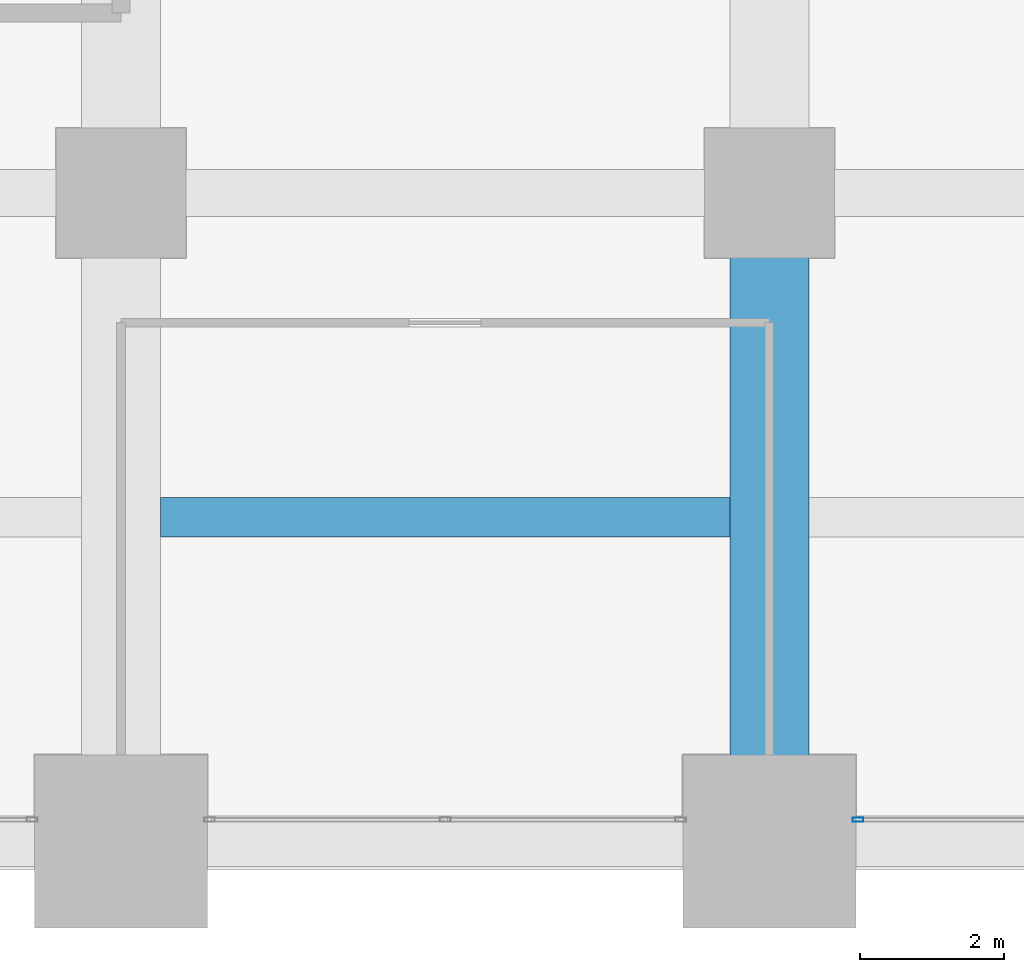
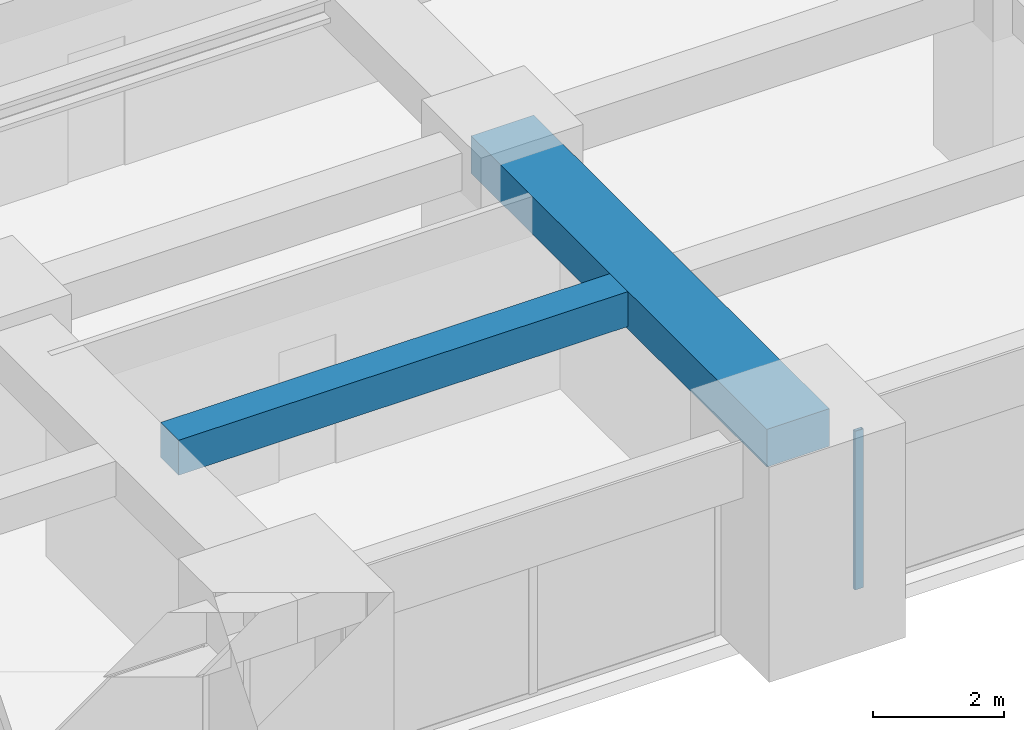
# One storey, part 14 of 39: 2 beams, 1 member, 1 element without a shape of its own.
"""IFC4 building model written with IfcOpenShell, lengths in metres."""

import ifcopenshell
import ifcopenshell.guid

model = None  # the IFC model being written
_history = None  # IfcOwnerHistory: only IFC2X3 demands one
_inside = {}  # id of a spatial element -> (the spatial element, [elements in it])
_under = {}  # id of a project, library or spatial element -> (it, [spatial elements below it])
_declared = {}  # id of a project -> (the project, [libraries it declares])
_typed = {}  # id of a type object -> (the type object, [elements of that type])
_made_of = {}  # id of a material, layer set ... -> (it, [elements and type objects made of it])


def new_model(schema):
    """Start an empty IFC model of exactly this schema.

    Asked for "IFC4X3", IfcOpenShell would pick the latest addendum, in which some entities
    have other attributes; the version numbers below select the first issue.
    IFC2X3 requires an IfcOwnerHistory on every rooted entity: one is made here for all.
    """
    global model, _history
    if schema == "IFC4X3":
        model = ifcopenshell.file(schema_version=(4, 3, 0, 0))
    else:
        model = ifcopenshell.file(schema=schema)
    _inside.clear()
    _under.clear()
    _declared.clear()
    _typed.clear()
    _made_of.clear()
    _history = None
    if model.schema == "IFC2X3":
        org = make("IfcOrganization", Name="unknown")
        user = make(
            "IfcPersonAndOrganization",
            ThePerson=make("IfcPerson", FamilyName="unknown"),
            TheOrganization=org,
        )
        app = make(
            "IfcApplication",
            ApplicationDeveloper=org,
            Version="unknown",
            ApplicationFullName="unknown",
            ApplicationIdentifier="unknown",
        )
        _history = make(
            "IfcOwnerHistory",
            OwningUser=user,
            OwningApplication=app,
            ChangeAction="ADDED",
            CreationDate=0,
        )
    return model


def make(cls, **values):
    """One entity of the class cls with the attributes given. An attribute that is None is left unset."""
    return model.create_entity(
        cls, **{name: value for name, value in values.items() if value is not None}
    )


def rooted(cls, **values):
    """An entity with a GlobalId (a new one), such as an element, a storey or a relation."""
    return make(cls, GlobalId=ifcopenshell.guid.new(), OwnerHistory=_history, **values)


def si_unit(unit_type, name, prefix=None):
    """IfcSIUnit, for example si_unit("LENGTHUNIT", "METRE", prefix="MILLI")."""
    return make("IfcSIUnit", UnitType=unit_type, Prefix=prefix, Name=name)


def assignment(units):
    """IfcUnitAssignment: the units of a project."""
    return None if units is None else make("IfcUnitAssignment", Units=units)


def point(xyz):
    """IfcCartesianPoint."""
    return None if xyz is None else make("IfcCartesianPoint", Coordinates=xyz)


def direction(xyz):
    """IfcDirection."""
    return None if xyz is None else make("IfcDirection", DirectionRatios=xyz)


def frame(location, z_axis=None, x_axis=None):
    """IfcAxis2Placement3D, a coordinate frame: its origin and axes. An axis left out is left unset."""
    return make(
        "IfcAxis2Placement3D",
        Location=point(location),
        Axis=direction(z_axis),
        RefDirection=direction(x_axis),
    )


def frame_2d(location, x_axis=None):
    """IfcAxis2Placement2D, a coordinate frame in the plane: its origin and x axis."""
    return make(
        "IfcAxis2Placement2D", Location=point(location), RefDirection=direction(x_axis)
    )


def origin():
    """The frame at (0, 0, 0) with its axes left unset."""
    return frame((0.0, 0.0, 0.0))


def origin_2d():
    """The frame at (0, 0) in the plane with its x axis left unset."""
    return frame_2d((0.0, 0.0))


def place(relative_to, where):
    """IfcLocalPlacement: puts the frame where relative to a parent placement (None: the world)."""
    return make(
        "IfcLocalPlacement", PlacementRelTo=relative_to, RelativePlacement=where
    )


def context(
    kind, dimensions, precision=None, world=None, true_north=None, identifier=None
):
    """IfcGeometricRepresentationContext, for example the 3D "Model" context."""
    return make(
        "IfcGeometricRepresentationContext",
        ContextIdentifier=identifier,
        ContextType=kind,
        CoordinateSpaceDimension=dimensions,
        Precision=precision,
        WorldCoordinateSystem=world,
        TrueNorth=true_north,
    )


def subcontext(parent, identifier, kind, view, scale=None):
    """IfcGeometricRepresentationSubContext, for example "Body" below "Model"."""
    return make(
        "IfcGeometricRepresentationSubContext",
        ContextIdentifier=identifier,
        ContextType=kind,
        ParentContext=parent,
        TargetScale=scale,
        TargetView=view,
    )


def project(units=None, contexts=None):
    """IfcProject with its units and contexts."""
    return rooted(
        "IfcProject",
        Name="project",
        RepresentationContexts=contexts,
        UnitsInContext=assignment(units),
    )


def spatial(cls, under=None, at=None, **own):
    """A site, building, storey or space (cls), placed at a placement, below another one or the project."""
    s = rooted(cls, ObjectPlacement=at, **own)
    if under is not None:
        _under.setdefault(under.id(), (under, []))[1].append(s)
    return s


def profile(cls, at=None, kind="AREA", **sizes):
    """A parametric profile (cls). Its sizes go by their IFC names, for example OverallWidth=200.0."""
    return make(cls, ProfileType=kind, Position=at, **sizes)


def rectangle(**sizes):
    """IfcRectangleProfileDef."""
    return profile("IfcRectangleProfileDef", **sizes)


def hollow_rectangle(**sizes):
    """IfcRectangleHollowProfileDef."""
    return profile("IfcRectangleHollowProfileDef", **sizes)


def extrude(swept, where, along, depth):
    """IfcExtrudedAreaSolid: the profile swept, set in the frame where, extruded along a direction by depth."""
    return make(
        "IfcExtrudedAreaSolid",
        SweptArea=swept,
        Position=where,
        ExtrudedDirection=direction(along),
        Depth=depth,
    )


def shape(context_of_items, identifier, shape_type, items):
    """IfcShapeRepresentation: the items that make up one representation, for example the "Body"."""
    return make(
        "IfcShapeRepresentation",
        ContextOfItems=context_of_items,
        RepresentationIdentifier=identifier,
        RepresentationType=shape_type,
        Items=items,
    )


def material(Name=None, Category=None):
    """IfcMaterial."""
    return make("IfcMaterial", Name=Name, Category=Category)


def material_profile(
    of_material, cross_section, Name=None, Category=None, Priority=None
):
    """IfcMaterialProfile: a cross section and its material."""
    return make(
        "IfcMaterialProfile",
        Name=Name,
        Material=of_material,
        Profile=cross_section,
        Priority=Priority,
        Category=Category,
    )


def profile_set(profiles, Name=None, composite=None):
    """IfcMaterialProfileSet."""
    return make(
        "IfcMaterialProfileSet",
        Name=Name,
        MaterialProfiles=profiles,
        CompositeProfile=composite,
    )


def made_of(thing, what):
    """Note that an element or type object is made of a material, layer set ...; save() writes the relation."""
    if what is not None:
        _made_of.setdefault(what.id(), (what, []))[1].append(thing)
    return thing


def type_object(cls, material=None, **own):
    """A type object (cls), such as IfcWallType, which elements share."""
    return made_of(rooted(cls, **own), material)


def element(
    cls,
    number,
    at=None,
    inside=None,
    cuts=None,
    type_object=None,
    material=None,
    context=None,
    identifier="Body",
    shape_type=None,
    held_by="IfcProductDefinitionShape",
    body=None,
    shapes=None,
    **own,
):
    """One element of the class cls, such as IfcWall. Its Tag is "e" and its number.

    at: its placement. inside: the storey or other place that contains it. cuts: it is an
    opening in that element (IfcRelVoidsElement). A single representation is given by context,
    identifier, shape_type and body (its items); several are given by shapes. held_by: the class
    of the entity that holds the representations. save() writes the other relations.
    """
    e = rooted(cls, Tag="e%d" % number, ObjectPlacement=at, **own)
    if body is not None:
        shapes = [shape(context, identifier, shape_type, body)]
    if shapes is not None:
        e.Representation = make(held_by, Representations=shapes)
    if inside is not None:
        _inside.setdefault(inside.id(), (inside, []))[1].append(e)
    if cuts is not None:
        rooted(
            "IfcRelVoidsElement", RelatingBuildingElement=cuts, RelatedOpeningElement=e
        )
    if type_object is not None:
        _typed.setdefault(type_object.id(), (type_object, []))[1].append(e)
    return made_of(e, material)


def aggregate(whole, parts):
    """IfcRelAggregates: a whole, such as a stair, and the parts it consists of."""
    return rooted("IfcRelAggregates", RelatingObject=whole, RelatedObjects=parts)


def save(model, path):
    """Write the relations noted so far, then the file.

    IfcRelAggregates (storeys below a building ...), IfcRelContainedInSpatialStructure (elements
    in a storey), IfcRelDefinesByType, IfcRelAssociatesMaterial and IfcRelDeclares: one each for
    every whole, place, type object, material and project.
    """
    for whole, parts in _under.values():
        aggregate(whole, parts)
    for where, things in _inside.values():
        rooted(
            "IfcRelContainedInSpatialStructure",
            RelatedElements=things,
            RelatingStructure=where,
        )
    for kind, things in _typed.values():
        rooted("IfcRelDefinesByType", RelatedObjects=things, RelatingType=kind)
    for what, things in _made_of.values():
        rooted("IfcRelAssociatesMaterial", RelatedObjects=things, RelatingMaterial=what)
    for by, libraries in _declared.values():
        rooted("IfcRelDeclares", RelatingContext=by, RelatedDefinitions=libraries)
    model.write(path)


model = new_model("IFC4")

# Units and contexts
model_context = context("Model", 3, precision=1e-05, world=origin(), true_north=direction((0.0, 1.0)))
body_context = subcontext(model_context, "Body", "Model", "MODEL_VIEW")
ifc_project = project(units=[si_unit("LENGTHUNIT", "METRE"), si_unit("AREAUNIT", "SQUARE_METRE"), si_unit("VOLUMEUNIT", "CUBIC_METRE"), si_unit("PLANEANGLEUNIT", "RADIAN"), si_unit("MASSUNIT", "GRAM", prefix="KILO")], contexts=[model_context])

# Site, building, storey
site_placement = place(None, origin())
site = spatial("IfcSite", under=ifc_project, at=site_placement, CompositionType="ELEMENT")
building_placement = place(site_placement, origin())
building = spatial("IfcBuilding", under=site, at=building_placement, Name="Zorevar Civic Tower", CompositionType="ELEMENT")
storey_placement = place(building_placement, frame((0.0, 0.0, 125.0)))
storey = spatial("IfcBuildingStorey", under=building, at=storey_placement, Name="L30", CompositionType="ELEMENT", Elevation=125.0)

# Beams
ifc_material_1 = material(Name="Concrete C50/60", Category="concrete")
ifc_material_profile_1 = material_profile(ifc_material_1, rectangle(XDim=1.10009765625, YDim=0.699951171875, at=origin_2d()), Name="RC 1100x700")
ifc_profile_set_1 = profile_set([ifc_material_profile_1], Name="Concrete C50/60")
beam_type_1 = type_object("IfcBeamType", Name="Beam RC 1100x700", PredefinedType="BEAM", material=ifc_profile_set_1)
beam_1_placement = place(storey_placement, frame((45.0, 0.0, 3.39990234375), z_axis=(0.0, 1.0, 0.0), x_axis=(-1.0, 0.0, 0.0)))
element("IfcBeam", 1, at=beam_1_placement, inside=storey, type_object=beam_type_1, Name="Girder L31", PredefinedType="BEAM", context=body_context, shape_type="SweptSolid", body=[
    extrude(rectangle(XDim=1.10009765625, YDim=0.699951171875, at=origin_2d()), origin(), (0.0, 0.0, 1.0), 9.0),
])
ifc_material_2 = material(Name="Concrete C50/60", Category="concrete")
ifc_material_profile_2 = material_profile(ifc_material_2, rectangle(XDim=0.550048828125, YDim=0.64990234375, at=origin_2d()), Name="RC 550x650")
ifc_profile_set_2 = profile_set([ifc_material_profile_2], Name="Concrete C50/60")
beam_type_2 = type_object("IfcBeamType", Name="Beam RC 550x650", PredefinedType="BEAM", material=ifc_profile_set_2)
beam_2_placement = place(storey_placement, frame((36.550048828125, 4.5, 3.425048828125), z_axis=(1.0, 0.0, 0.0), x_axis=(0.0, 1.0, 0.0)))
element("IfcBeam", 2, at=beam_2_placement, inside=storey, type_object=beam_type_2, Name="Secondary beam L31", PredefinedType="BEAM", context=body_context, shape_type="SweptSolid", body=[
    extrude(rectangle(XDim=0.550048828125, YDim=0.64990234375, at=origin_2d()), origin(), (0.0, 0.0, 1.0), 7.89990234375),
])

# Curtain wall, member
ifc_material_3 = material(Name="Dark grey solar-control glass in black aluminium frame", Category="aluminium")
curtain_wall_type = type_object("IfcCurtainWallType", Name="Curtain wall CW3 mid zone", PredefinedType="NOTDEFINED", material=ifc_material_3)
curtain_wall_placement = place(storey_placement, origin())
curtain_wall = element("IfcCurtainWall", 3, at=curtain_wall_placement, inside=storey, type_object=curtain_wall_type, Name="CW3 L30", PredefinedType="NOTDEFINED")
ifc_material_4 = material(Name="Aluminium, black anodised", Category="aluminium")
ifc_material_profile_3 = material_profile(ifc_material_4, hollow_rectangle(XDim=0.06005859375, YDim=0.14990234375, WallThickness=0.00390625, at=origin_2d()), Name="AL 150x60x4")
ifc_profile_set_3 = profile_set([ifc_material_profile_3], Name="Aluminium, black anodised")
member_type = type_object("IfcMemberType", Name="CW3 mullion AL 150x60x4", PredefinedType="MULLION", material=ifc_profile_set_3)
member_placement = place(storey_placement, frame((46.22998046875, 0.300048828125, 0.0), z_axis=(0.0, 0.0, 1.0), x_axis=(0.0, 1.0, 0.0)))
member = element("IfcMember", 4, at=member_placement, type_object=member_type, Name="CW3 mullion 1", PredefinedType="MULLION", context=body_context, shape_type="SweptSolid", body=[
    extrude(hollow_rectangle(XDim=0.06005859375, YDim=0.14990234375, WallThickness=0.00390625, at=origin_2d()), origin(), (0.0, 0.0, 1.0), 2.949951171875),
])
aggregate(curtain_wall, [member])

save(model, "model.ifc")
